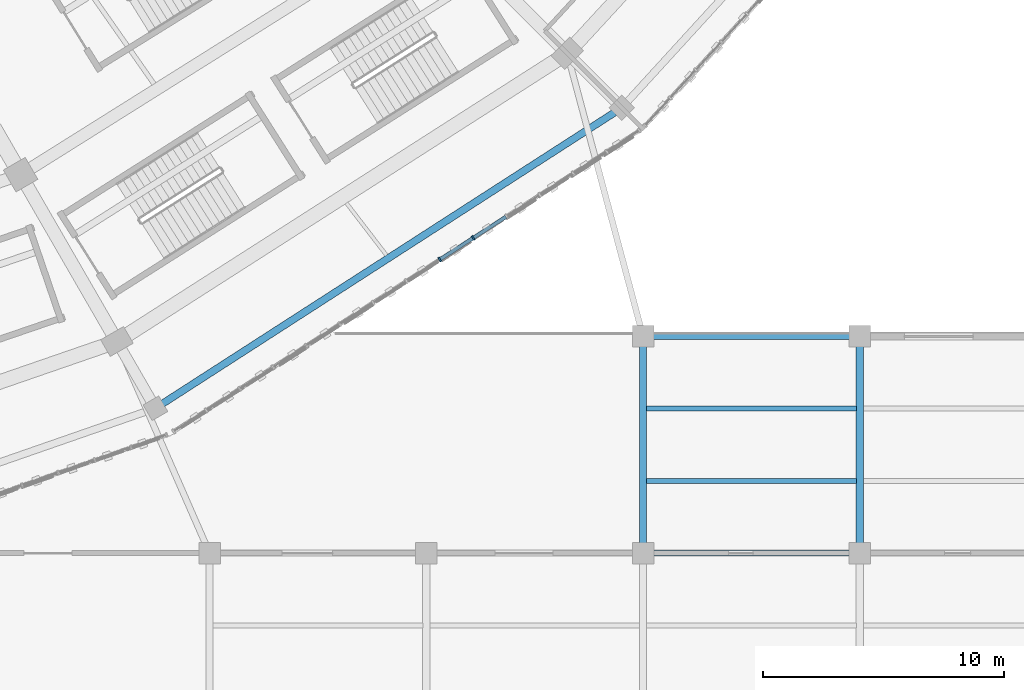
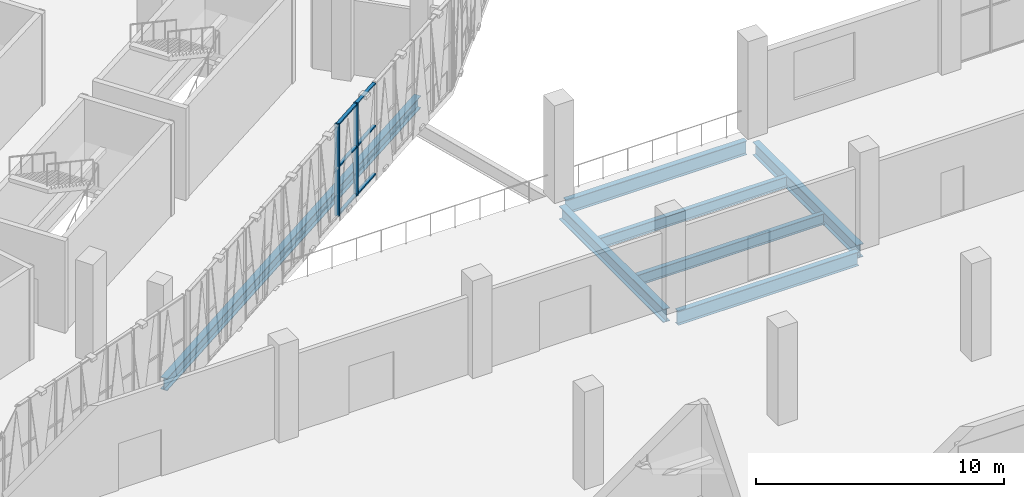
# One storey, part 30 of 183: 8 members, 7 beams, 1 element without a shape of its own.
"""IFC4 building model written with IfcOpenShell, lengths in metres."""

import ifcopenshell
import ifcopenshell.guid

model = None  # the IFC model being written
_history = None  # IfcOwnerHistory: only IFC2X3 demands one
_inside = {}  # id of a spatial element -> (the spatial element, [elements in it])
_under = {}  # id of a project, library or spatial element -> (it, [spatial elements below it])
_declared = {}  # id of a project -> (the project, [libraries it declares])
_typed = {}  # id of a type object -> (the type object, [elements of that type])
_made_of = {}  # id of a material, layer set ... -> (it, [elements and type objects made of it])


def new_model(schema):
    """Start an empty IFC model of exactly this schema.

    Asked for "IFC4X3", IfcOpenShell would pick the latest addendum, in which some entities
    have other attributes; the version numbers below select the first issue.
    IFC2X3 requires an IfcOwnerHistory on every rooted entity: one is made here for all.
    """
    global model, _history
    if schema == "IFC4X3":
        model = ifcopenshell.file(schema_version=(4, 3, 0, 0))
    else:
        model = ifcopenshell.file(schema=schema)
    _inside.clear()
    _under.clear()
    _declared.clear()
    _typed.clear()
    _made_of.clear()
    _history = None
    if model.schema == "IFC2X3":
        org = make("IfcOrganization", Name="unknown")
        user = make(
            "IfcPersonAndOrganization",
            ThePerson=make("IfcPerson", FamilyName="unknown"),
            TheOrganization=org,
        )
        app = make(
            "IfcApplication",
            ApplicationDeveloper=org,
            Version="unknown",
            ApplicationFullName="unknown",
            ApplicationIdentifier="unknown",
        )
        _history = make(
            "IfcOwnerHistory",
            OwningUser=user,
            OwningApplication=app,
            ChangeAction="ADDED",
            CreationDate=0,
        )
    return model


def make(cls, **values):
    """One entity of the class cls with the attributes given. An attribute that is None is left unset."""
    return model.create_entity(
        cls, **{name: value for name, value in values.items() if value is not None}
    )


def rooted(cls, **values):
    """An entity with a GlobalId (a new one), such as an element, a storey or a relation."""
    return make(cls, GlobalId=ifcopenshell.guid.new(), OwnerHistory=_history, **values)


def si_unit(unit_type, name, prefix=None):
    """IfcSIUnit, for example si_unit("LENGTHUNIT", "METRE", prefix="MILLI")."""
    return make("IfcSIUnit", UnitType=unit_type, Prefix=prefix, Name=name)


def assignment(units):
    """IfcUnitAssignment: the units of a project."""
    return None if units is None else make("IfcUnitAssignment", Units=units)


def point(xyz):
    """IfcCartesianPoint."""
    return None if xyz is None else make("IfcCartesianPoint", Coordinates=xyz)


def direction(xyz):
    """IfcDirection."""
    return None if xyz is None else make("IfcDirection", DirectionRatios=xyz)


def frame(location, z_axis=None, x_axis=None):
    """IfcAxis2Placement3D, a coordinate frame: its origin and axes. An axis left out is left unset."""
    return make(
        "IfcAxis2Placement3D",
        Location=point(location),
        Axis=direction(z_axis),
        RefDirection=direction(x_axis),
    )


def frame_2d(location, x_axis=None):
    """IfcAxis2Placement2D, a coordinate frame in the plane: its origin and x axis."""
    return make(
        "IfcAxis2Placement2D", Location=point(location), RefDirection=direction(x_axis)
    )


def origin():
    """The frame at (0, 0, 0) with its axes left unset."""
    return frame((0.0, 0.0, 0.0))


def origin_2d():
    """The frame at (0, 0) in the plane with its x axis left unset."""
    return frame_2d((0.0, 0.0))


def place(relative_to, where):
    """IfcLocalPlacement: puts the frame where relative to a parent placement (None: the world)."""
    return make(
        "IfcLocalPlacement", PlacementRelTo=relative_to, RelativePlacement=where
    )


def context(
    kind, dimensions, precision=None, world=None, true_north=None, identifier=None
):
    """IfcGeometricRepresentationContext, for example the 3D "Model" context."""
    return make(
        "IfcGeometricRepresentationContext",
        ContextIdentifier=identifier,
        ContextType=kind,
        CoordinateSpaceDimension=dimensions,
        Precision=precision,
        WorldCoordinateSystem=world,
        TrueNorth=true_north,
    )


def subcontext(parent, identifier, kind, view, scale=None):
    """IfcGeometricRepresentationSubContext, for example "Body" below "Model"."""
    return make(
        "IfcGeometricRepresentationSubContext",
        ContextIdentifier=identifier,
        ContextType=kind,
        ParentContext=parent,
        TargetScale=scale,
        TargetView=view,
    )


def project(units=None, contexts=None):
    """IfcProject with its units and contexts."""
    return rooted(
        "IfcProject",
        Name="project",
        RepresentationContexts=contexts,
        UnitsInContext=assignment(units),
    )


def spatial(cls, under=None, at=None, **own):
    """A site, building, storey or space (cls), placed at a placement, below another one or the project."""
    s = rooted(cls, ObjectPlacement=at, **own)
    if under is not None:
        _under.setdefault(under.id(), (under, []))[1].append(s)
    return s


def profile(cls, at=None, kind="AREA", **sizes):
    """A parametric profile (cls). Its sizes go by their IFC names, for example OverallWidth=200.0."""
    return make(cls, ProfileType=kind, Position=at, **sizes)


def rectangle(**sizes):
    """IfcRectangleProfileDef."""
    return profile("IfcRectangleProfileDef", **sizes)


def i_section(**sizes):
    """IfcIShapeProfileDef."""
    return profile("IfcIShapeProfileDef", **sizes)


def extrude(swept, where, along, depth):
    """IfcExtrudedAreaSolid: the profile swept, set in the frame where, extruded along a direction by depth."""
    return make(
        "IfcExtrudedAreaSolid",
        SweptArea=swept,
        Position=where,
        ExtrudedDirection=direction(along),
        Depth=depth,
    )


def shape(context_of_items, identifier, shape_type, items):
    """IfcShapeRepresentation: the items that make up one representation, for example the "Body"."""
    return make(
        "IfcShapeRepresentation",
        ContextOfItems=context_of_items,
        RepresentationIdentifier=identifier,
        RepresentationType=shape_type,
        Items=items,
    )


def material(Name=None, Category=None):
    """IfcMaterial."""
    return make("IfcMaterial", Name=Name, Category=Category)


def material_profile(
    of_material, cross_section, Name=None, Category=None, Priority=None
):
    """IfcMaterialProfile: a cross section and its material."""
    return make(
        "IfcMaterialProfile",
        Name=Name,
        Material=of_material,
        Profile=cross_section,
        Priority=Priority,
        Category=Category,
    )


def profile_set(profiles, Name=None, composite=None):
    """IfcMaterialProfileSet."""
    return make(
        "IfcMaterialProfileSet",
        Name=Name,
        MaterialProfiles=profiles,
        CompositeProfile=composite,
    )


def made_of(thing, what):
    """Note that an element or type object is made of a material, layer set ...; save() writes the relation."""
    if what is not None:
        _made_of.setdefault(what.id(), (what, []))[1].append(thing)
    return thing


def type_object(cls, material=None, **own):
    """A type object (cls), such as IfcWallType, which elements share."""
    return made_of(rooted(cls, **own), material)


def element(
    cls,
    number,
    at=None,
    inside=None,
    cuts=None,
    type_object=None,
    material=None,
    context=None,
    identifier="Body",
    shape_type=None,
    held_by="IfcProductDefinitionShape",
    body=None,
    shapes=None,
    **own,
):
    """One element of the class cls, such as IfcWall. Its Tag is "e" and its number.

    at: its placement. inside: the storey or other place that contains it. cuts: it is an
    opening in that element (IfcRelVoidsElement). A single representation is given by context,
    identifier, shape_type and body (its items); several are given by shapes. held_by: the class
    of the entity that holds the representations. save() writes the other relations.
    """
    e = rooted(cls, Tag="e%d" % number, ObjectPlacement=at, **own)
    if body is not None:
        shapes = [shape(context, identifier, shape_type, body)]
    if shapes is not None:
        e.Representation = make(held_by, Representations=shapes)
    if inside is not None:
        _inside.setdefault(inside.id(), (inside, []))[1].append(e)
    if cuts is not None:
        rooted(
            "IfcRelVoidsElement", RelatingBuildingElement=cuts, RelatedOpeningElement=e
        )
    if type_object is not None:
        _typed.setdefault(type_object.id(), (type_object, []))[1].append(e)
    return made_of(e, material)


def aggregate(whole, parts):
    """IfcRelAggregates: a whole, such as a stair, and the parts it consists of."""
    return rooted("IfcRelAggregates", RelatingObject=whole, RelatedObjects=parts)


def save(model, path):
    """Write the relations noted so far, then the file.

    IfcRelAggregates (storeys below a building ...), IfcRelContainedInSpatialStructure (elements
    in a storey), IfcRelDefinesByType, IfcRelAssociatesMaterial and IfcRelDeclares: one each for
    every whole, place, type object, material and project.
    """
    for whole, parts in _under.values():
        aggregate(whole, parts)
    for where, things in _inside.values():
        rooted(
            "IfcRelContainedInSpatialStructure",
            RelatedElements=things,
            RelatingStructure=where,
        )
    for kind, things in _typed.values():
        rooted("IfcRelDefinesByType", RelatedObjects=things, RelatingType=kind)
    for what, things in _made_of.values():
        rooted("IfcRelAssociatesMaterial", RelatedObjects=things, RelatingMaterial=what)
    for by, libraries in _declared.values():
        rooted("IfcRelDeclares", RelatingContext=by, RelatedDefinitions=libraries)
    model.write(path)


model = new_model("IFC4")

# Units and contexts
model_context = context("Model", 3, precision=1e-05, world=origin(), true_north=direction((0.0, 1.0)))
body_context = subcontext(model_context, "Body", "Model", "MODEL_VIEW")
ifc_project = project(units=[si_unit("LENGTHUNIT", "METRE"), si_unit("AREAUNIT", "SQUARE_METRE"), si_unit("VOLUMEUNIT", "CUBIC_METRE"), si_unit("PLANEANGLEUNIT", "RADIAN"), si_unit("MASSUNIT", "GRAM", prefix="KILO")], contexts=[model_context])

# Site, building, storey
site_placement = place(None, origin())
site = spatial("IfcSite", under=ifc_project, at=site_placement, CompositionType="ELEMENT")
building_placement = place(site_placement, origin())
building = spatial("IfcBuilding", under=site, at=building_placement, Name="Zevraka Park Crest Stadium", CompositionType="ELEMENT")
storey_placement = place(building_placement, frame((0.0, 0.0, 5.39990234375)))
storey = spatial("IfcBuildingStorey", under=building, at=storey_placement, Name="L01", CompositionType="ELEMENT", Elevation=5.39990234375)

# Beams
ifc_material_1 = material(Name="Steel S355", Category="steel")
ifc_material_profile_1 = material_profile(ifc_material_1, i_section(OverallWidth=0.253662109375, OverallDepth=0.68359375, WebThickness=0.012451171875, FlangeThickness=0.01904296875, at=origin_2d()), Name="UKB 686x254x140")
ifc_profile_set_1 = profile_set([ifc_material_profile_1], Name="Steel S355")
beam_type_1 = type_object("IfcBeamType", Name="BG05", PredefinedType="BEAM", material=ifc_profile_set_1)
for number, where, z_axis, x_axis, name in (
    (1, (179.300048828125, 18.0, -0.649658203125), (1.0, 0.0, 0.0), (0.0, 1.0, 0.0), "Wing Girder BG05 L01-2021/C"),
    (2, (179.300048828125, 27.0, -0.649658203125), (1.0, 0.0, 0.0), (0.0, 1.0, 0.0), "Wing Girder BG05 L01-2021/D"),
):
    element("IfcBeam", number, at=place(storey_placement, frame(where, z_axis=z_axis, x_axis=x_axis)), inside=storey, type_object=beam_type_1, Name=name, PredefinedType="BEAM", context=body_context, shape_type="SweptSolid", body=[
        extrude(i_section(OverallWidth=0.253662109375, OverallDepth=0.68359375, WebThickness=0.012451171875, FlangeThickness=0.01904296875, at=origin_2d()), origin(), (0.0, 0.0, 1.0), 8.39990234375),
    ])
ifc_material_2 = material(Name="Steel S355", Category="steel")
ifc_material_profile_2 = material_profile(ifc_material_2, i_section(OverallWidth=0.300048828125, OverallDepth=0.64990234375, WebThickness=0.01611328125, FlangeThickness=0.031005859375, at=origin_2d()), Name="HEB 650")
ifc_profile_set_2 = profile_set([ifc_material_profile_2], Name="Steel S355")
beam_type_2 = type_object("IfcBeamType", Name="BG07", PredefinedType="BEAM", material=ifc_profile_set_2)
for number, where, z_axis, x_axis, name in (
    (3, (179.0, 18.300048828125, -0.6328125), (0.0, 1.0, 0.0), (-1.0, 0.0, 0.0), "Wing Girder BG07 L01-20/CD"),
    (4, (188.0, 18.300048828125, -0.6328125), (0.0, 1.0, 0.0), (-1.0, 0.0, 0.0), "Wing Girder BG07 L01-21/CD"),
):
    element("IfcBeam", number, at=place(storey_placement, frame(where, z_axis=z_axis, x_axis=x_axis)), inside=storey, type_object=beam_type_2, Name=name, PredefinedType="BEAM", context=body_context, shape_type="SweptSolid", body=[
        extrude(i_section(OverallWidth=0.300048828125, OverallDepth=0.64990234375, WebThickness=0.01611328125, FlangeThickness=0.031005859375, at=origin_2d()), origin(), (0.0, 0.0, 1.0), 8.39990234375),
    ])

# Curtain wall, members
ifc_material_3 = material(Name="Anodised architectural aluminium and laminated safety glass", Category="aluminium")
curtain_wall_type = type_object("IfcCurtainWallType", Name="CW03", PredefinedType="NOTDEFINED", material=ifc_material_3)
curtain_wall_placement = place(storey_placement, origin())
curtain_wall = element("IfcCurtainWall", 5, at=curtain_wall_placement, inside=storey, type_object=curtain_wall_type, Name="Unitised Ring Curtain Wall CW03 L01-20", PredefinedType="NOTDEFINED")
ifc_material_4 = material(Name="Anodised architectural aluminium", Category="aluminium")
ifc_material_profile_3 = material_profile(ifc_material_4, rectangle(XDim=0.199951171875, YDim=0.070068359375, at=origin_2d()), Name="ALU MULLION 200x70")
ifc_profile_set_3 = profile_set([ifc_material_profile_3], Name="Anodised architectural aluminium")
member_type_1 = type_object("IfcMemberType", Name="CM03", PredefinedType="MULLION", material=ifc_profile_set_3)
member_1_placement = place(storey_placement, frame((170.55908203125, 30.194091796875, 0.0), z_axis=(0.0, 0.0, 1.0), x_axis=(-0.542570628938, 0.840010186018, 0.0)))
member_1 = element("IfcMember", 6, at=member_1_placement, type_object=member_type_1, Name="CW03 mullion 9", PredefinedType="MULLION", context=body_context, shape_type="SweptSolid", body=[
    extrude(rectangle(XDim=0.199951171875, YDim=0.070068359375, at=origin_2d()), origin(), (0.0, 0.0, 1.0), 4.52001953125),
])
member_2_placement = place(storey_placement, frame((171.94482421875, 31.089111328125, 0.0), z_axis=(0.0, 0.0, 1.0), x_axis=(-0.542570628938, 0.840010186018, 0.0)))
member_2 = element("IfcMember", 7, at=member_2_placement, type_object=member_type_1, Name="CW03 mullion 10", PredefinedType="MULLION", context=body_context, shape_type="SweptSolid", body=[
    extrude(rectangle(XDim=0.199951171875, YDim=0.070068359375, at=origin_2d()), origin(), (0.0, 0.0, 1.0), 4.52001953125),
])
ifc_material_5 = material(Name="Anodised architectural aluminium", Category="aluminium")
ifc_material_profile_4 = material_profile(ifc_material_5, rectangle(XDim=0.14990234375, YDim=0.070068359375, at=origin_2d()), Name="ALU TRANSOM 150x70")
ifc_profile_set_4 = profile_set([ifc_material_profile_4], Name="Anodised architectural aluminium")
member_type_2 = type_object("IfcMemberType", Name="CT03", PredefinedType="USERDEFINED", material=ifc_profile_set_4)
member_3_placement = place(storey_placement, frame((170.588623046875, 30.212890625, 0.03515625), z_axis=(0.839930759874, 0.542693577092, 0.0), x_axis=(-0.542693577092, 0.839930759874, 0.0)))
member_3 = element("IfcMember", 8, at=member_3_placement, type_object=member_type_2, Name="CW03 transom 9.1", ObjectType="TRANSOM", PredefinedType="USERDEFINED", context=body_context, shape_type="SweptSolid", body=[
    extrude(rectangle(XDim=0.14990234375, YDim=0.070068359375, at=origin_2d()), origin(), (0.0, 0.0, 1.0), 1.57958984375),
])
member_4_placement = place(storey_placement, frame((170.588623046875, 30.212890625, 2.400146484375), z_axis=(0.839930759874, 0.542693577092, 0.0), x_axis=(-0.542693577092, 0.839930759874, 0.0)))
member_4 = element("IfcMember", 9, at=member_4_placement, type_object=member_type_2, Name="CW03 transom 9.2", ObjectType="TRANSOM", PredefinedType="USERDEFINED", context=body_context, shape_type="SweptSolid", body=[
    extrude(rectangle(XDim=0.14990234375, YDim=0.070068359375, at=origin_2d()), origin(), (0.0, 0.0, 1.0), 1.57958984375),
])
member_5_placement = place(storey_placement, frame((170.588623046875, 30.212890625, 4.485107421875), z_axis=(0.839930759874, 0.542693577092, 0.0), x_axis=(-0.542693577092, 0.839930759874, 0.0)))
member_5 = element("IfcMember", 10, at=member_5_placement, type_object=member_type_2, Name="CW03 transom 9.3", ObjectType="TRANSOM", PredefinedType="USERDEFINED", context=body_context, shape_type="SweptSolid", body=[
    extrude(rectangle(XDim=0.14990234375, YDim=0.070068359375, at=origin_2d()), origin(), (0.0, 0.0, 1.0), 1.57958984375),
])
member_6_placement = place(storey_placement, frame((171.97412109375, 31.10791015625, 0.03515625), z_axis=(0.839976274256, 0.542623127675, 0.0), x_axis=(-0.542623127675, 0.839976274256, 0.0)))
member_6 = element("IfcMember", 11, at=member_6_placement, type_object=member_type_2, Name="CW03 transom 10.1", ObjectType="TRANSOM", PredefinedType="USERDEFINED", context=body_context, shape_type="SweptSolid", body=[
    extrude(rectangle(XDim=0.14990234375, YDim=0.070068359375, at=origin_2d()), origin(), (0.0, 0.0, 1.0), 1.57958984375),
])
member_7_placement = place(storey_placement, frame((171.97412109375, 31.10791015625, 2.400146484375), z_axis=(0.839976274256, 0.542623127675, 0.0), x_axis=(-0.542623127675, 0.839976274256, 0.0)))
member_7 = element("IfcMember", 12, at=member_7_placement, type_object=member_type_2, Name="CW03 transom 10.2", ObjectType="TRANSOM", PredefinedType="USERDEFINED", context=body_context, shape_type="SweptSolid", body=[
    extrude(rectangle(XDim=0.14990234375, YDim=0.070068359375, at=origin_2d()), origin(), (0.0, 0.0, 1.0), 1.57958984375),
])
member_8_placement = place(storey_placement, frame((171.97412109375, 31.10791015625, 4.485107421875), z_axis=(0.839976274256, 0.542623127675, 0.0), x_axis=(-0.542623127675, 0.839976274256, 0.0)))
member_8 = element("IfcMember", 13, at=member_8_placement, type_object=member_type_2, Name="CW03 transom 10.3", ObjectType="TRANSOM", PredefinedType="USERDEFINED", context=body_context, shape_type="SweptSolid", body=[
    extrude(rectangle(XDim=0.14990234375, YDim=0.070068359375, at=origin_2d()), origin(), (0.0, 0.0, 1.0), 1.57958984375),
])
aggregate(curtain_wall, [member_1, member_2, member_3, member_4, member_5, member_6, member_7, member_8])

# Beams
ifc_material_6 = material(Name="Steel S355", Category="steel")
ifc_material_profile_5 = material_profile(ifc_material_6, i_section(OverallWidth=0.300048828125, OverallDepth=0.60009765625, WebThickness=0.015380859375, FlangeThickness=0.030029296875, at=origin_2d()), Name="HEB 600")
ifc_profile_set_5 = profile_set([ifc_material_profile_5], Name="Steel S355")
beam_type_3 = type_object("IfcBeamType", Name="RB03", PredefinedType="BEAM", material=ifc_profile_set_5)
beam_placement = place(storey_placement, frame((159.0439453125, 24.20703125, -0.60498046875), z_axis=(0.840676981124, 0.541536899396, 0.0), x_axis=(-0.541536899396, 0.840676981124, 0.0)))
element("IfcBeam", 14, at=beam_placement, inside=storey, type_object=beam_type_3, Name="Ring Beam RB03 L01-E-20", PredefinedType="BEAM", context=body_context, shape_type="SweptSolid", body=[
    extrude(i_section(OverallWidth=0.300048828125, OverallDepth=0.60009765625, WebThickness=0.015380859375, FlangeThickness=0.030029296875, at=origin_2d()), origin(), (0.0, 0.0, 1.0), 22.33447265625),
])
ifc_material_7 = material(Name="Steel S355", Category="steel")
ifc_material_profile_6 = material_profile(ifc_material_7, i_section(OverallWidth=0.209228515625, OverallDepth=0.533203125, WebThickness=0.010009765625, FlangeThickness=0.015625, at=origin_2d()), Name="UKB 533x210x92")
ifc_profile_set_6 = profile_set([ifc_material_profile_6], Name="Steel S355")
beam_type_4 = type_object("IfcBeamType", Name="SJ05", PredefinedType="JOIST", material=ifc_profile_set_6)
for number, where, z_axis, x_axis, name in (
    (15, (179.14501953125, 21.0, -0.576416015625), (1.0, 0.0, 0.0), (0.0, 1.0, 0.0), "Wing Joist SJ05 L01-20/C-1"),
    (16, (179.14501953125, 24.0, -0.576416015625), (1.0, 0.0, 0.0), (0.0, 1.0, 0.0), "Wing Joist SJ05 L01-20/C-2"),
):
    element("IfcBeam", number, at=place(storey_placement, frame(where, z_axis=z_axis, x_axis=x_axis)), inside=storey, type_object=beam_type_4, Name=name, PredefinedType="JOIST", context=body_context, shape_type="SweptSolid", body=[
        extrude(i_section(OverallWidth=0.209228515625, OverallDepth=0.533203125, WebThickness=0.010009765625, FlangeThickness=0.015625, at=origin_2d()), origin(), (0.0, 0.0, 1.0), 8.7099609375),
    ])

save(model, "model.ifc")
